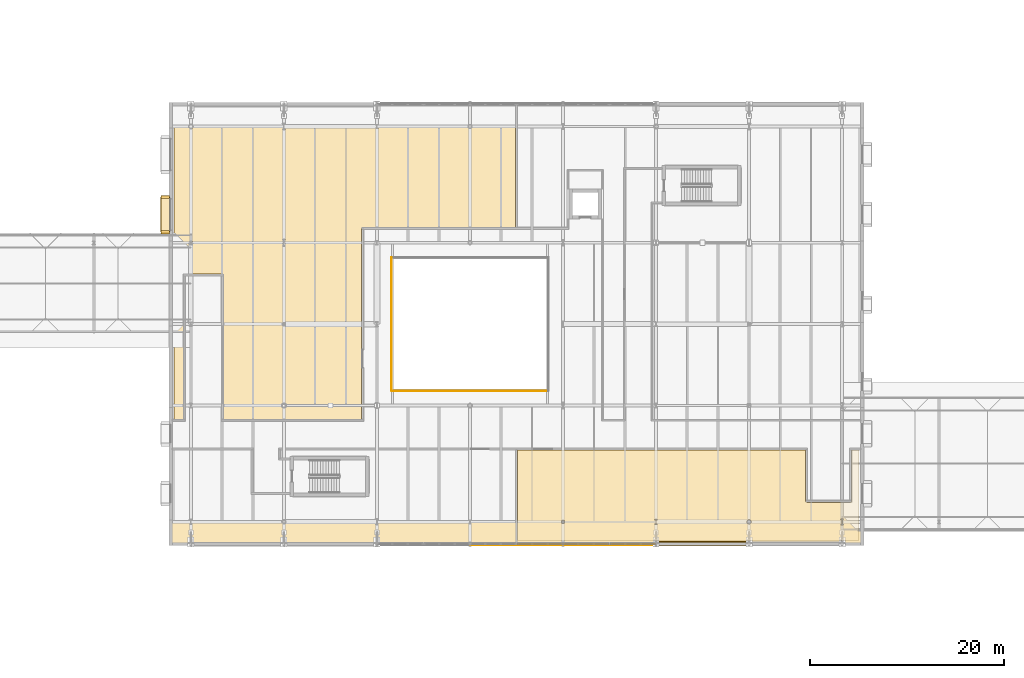
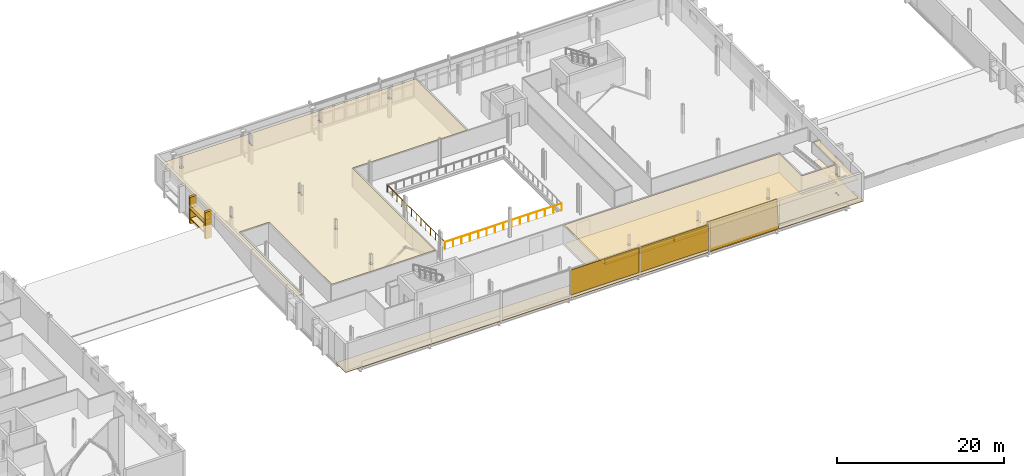
# One storey, part 78 of 90: 12 coverings, 3 shading devices, 2 railings.
"""IFC4 building model written with IfcOpenShell, lengths in metres."""

from ifc_helpers import new_model, si_unit, direction, frame, origin, origin_2d, place, context, subcontext, project, spatial, polyline, rectangle, circle, outline, extrude, material, layer, layer_set, type_object, element, save


model = new_model("IFC4")

# Units and contexts
model_context = context("Model", 3, precision=1e-05, world=origin(), true_north=direction((0.0, 1.0)))
body_context = subcontext(model_context, "Body", "Model", "MODEL_VIEW")
ifc_project = project(units=[si_unit("LENGTHUNIT", "METRE"), si_unit("AREAUNIT", "SQUARE_METRE"), si_unit("VOLUMEUNIT", "CUBIC_METRE"), si_unit("PLANEANGLEUNIT", "RADIAN"), si_unit("MASSUNIT", "GRAM", prefix="KILO")], contexts=[model_context])

# Site, building, storey
site_placement = place(None, origin())
site = spatial("IfcSite", under=ifc_project, at=site_placement, CompositionType="ELEMENT")
building_placement = place(site_placement, origin())
building = spatial("IfcBuilding", under=site, at=building_placement, Name="Zereglee Splitstone Museum", CompositionType="ELEMENT")
storey_placement = place(building_placement, frame((0.0, 0.0, 4.800048828125)))
storey = spatial("IfcBuildingStorey", under=building, at=storey_placement, Name="L01", CompositionType="ELEMENT", Elevation=4.800048828125)

# Coverings
ifc_material_1 = material(Name="Siberian larch acoustic timber ceiling", Category="wood")
ifc_layer_1 = layer(ifc_material_1, 0.06005859375)
ifc_layer_set_1 = layer_set([ifc_layer_1], Name="Siberian larch acoustic timber ceiling")
covering_type_1 = type_object("IfcCoveringType", Name="CLG-01", PredefinedType="CEILING", material=ifc_layer_set_1)
covering_1_placement = place(storey_placement, frame((0.0, 0.0, 2.699951171875)))
element("IfcCovering", 1, at=covering_1_placement, inside=storey, type_object=covering_type_1, Name="Acoustic Ceiling L01-025", PredefinedType="CEILING", context=body_context, shape_type="SweptSolid", body=[
    extrude(outline(polyline([(111.699951171875, 17.02001953125), (141.419921875, 17.02001953125), (141.419921875, 11.800048828125), (141.419921875, 11.799072265625), (141.4208984375, 11.783203125), (141.4208984375, 11.781494140625), (141.42333984375, 11.765869140625), (141.423583984375, 11.763916015625), (141.427490234375, 11.748779296875), (141.427978515625, 11.746826171875), (141.433349609375, 11.73193359375), (141.43408203125, 11.730224609375), (141.44091796875, 11.716064453125), (141.441650390625, 11.71435546875), (141.44970703125, 11.70068359375), (141.450927734375, 11.69921875), (141.460205078125, 11.6865234375), (141.46142578125, 11.68505859375), (141.471923828125, 11.67333984375), (141.473388671875, 11.672119140625), (141.485107421875, 11.66162109375), (141.486572265625, 11.660400390625), (141.499267578125, 11.65087890625), (141.500732421875, 11.64990234375), (141.514404296875, 11.6416015625), (141.51611328125, 11.640869140625), (141.5302734375, 11.634033203125), (141.531982421875, 11.63330078125), (141.546875, 11.628173828125), (141.548583984375, 11.62744140625), (141.56396484375, 11.623779296875), (141.56591796875, 11.623291015625), (141.581298828125, 11.62109375), (141.583251953125, 11.620849609375), (141.59912109375, 11.6201171875), (141.60009765625, 11.6201171875), (146.0, 11.6201171875), (146.0009765625, 11.6201171875), (146.0166015625, 11.620849609375), (146.0185546875, 11.62109375), (146.0341796875, 11.623291015625), (146.0361328125, 11.623779296875), (146.05126953125, 11.62744140625), (146.05322265625, 11.628173828125), (146.068115234375, 11.63330078125), (146.06982421875, 11.634033203125), (146.083984375, 11.640869140625), (146.085693359375, 11.6416015625), (146.09912109375, 11.64990234375), (146.100830078125, 11.65087890625), (146.11328125, 11.660400390625), (146.114990234375, 11.66162109375), (146.126708984375, 11.672119140625), (146.1279296875, 11.67333984375), (146.138427734375, 11.68505859375), (146.1396484375, 11.6865234375), (146.149169921875, 11.69921875), (146.150146484375, 11.70068359375), (146.158203125, 11.71435546875), (146.1591796875, 11.716064453125), (146.166015625, 11.730224609375), (146.166748046875, 11.73193359375), (146.171875, 11.746826171875), (146.172607421875, 11.748779296875), (146.17626953125, 11.763916015625), (146.1767578125, 11.765869140625), (146.178955078125, 11.781494140625), (146.17919921875, 11.783203125), (146.179931640625, 11.799072265625), (146.179931640625, 11.800048828125), (146.179931640625, 17.02001953125), (146.93994140625, 17.02001953125), (146.93994140625, 7.659912109375), (111.699951171875, 7.659912109375), (111.699951171875, 17.02001953125)]), holes=[polyline([(145.35791015625, 9.907958984375), (145.0419921875, 9.907958984375), (145.0419921875, 9.862060546875), (145.18408203125, 9.862060546875), (145.18408203125, 9.337890625), (145.0419921875, 9.337890625), (145.0419921875, 9.2919921875), (145.35791015625, 9.2919921875), (145.35791015625, 9.337890625), (145.2158203125, 9.337890625), (145.2158203125, 9.862060546875), (145.35791015625, 9.862060546875), (145.35791015625, 9.907958984375)]), polyline([(135.64111328125, 9.392822265625), (135.680908203125, 9.40478515625), (135.71728515625, 9.42431640625), (135.749267578125, 9.45068359375), (135.775634765625, 9.482666015625), (135.795166015625, 9.519287109375), (135.80712890625, 9.558837890625), (135.811279296875, 9.60009765625), (135.80712890625, 9.64111328125), (135.795166015625, 9.680908203125), (135.775634765625, 9.71728515625), (135.749267578125, 9.749267578125), (135.71728515625, 9.775634765625), (135.680908203125, 9.795166015625), (135.64111328125, 9.80712890625), (135.60009765625, 9.811279296875), (135.558837890625, 9.80712890625), (135.519287109375, 9.795166015625), (135.482666015625, 9.775634765625), (135.45068359375, 9.749267578125), (135.42431640625, 9.71728515625), (135.40478515625, 9.680908203125), (135.392822265625, 9.64111328125), (135.388916015625, 9.60009765625), (135.392822265625, 9.558837890625), (135.40478515625, 9.519287109375), (135.42431640625, 9.482666015625), (135.45068359375, 9.45068359375), (135.482666015625, 9.42431640625), (135.519287109375, 9.40478515625), (135.558837890625, 9.392822265625), (135.60009765625, 9.388916015625), (135.64111328125, 9.392822265625)]), polyline([(126.157958984375, 9.81396484375), (126.157958984375, 9.85791015625), (125.842041015625, 9.85791015625), (125.842041015625, 9.81396484375), (125.98486328125, 9.81396484375), (125.98486328125, 9.385986328125), (125.842041015625, 9.385986328125), (125.842041015625, 9.342041015625), (126.157958984375, 9.342041015625), (126.157958984375, 9.385986328125), (126.01513671875, 9.385986328125), (126.01513671875, 9.81396484375), (126.157958984375, 9.81396484375)]), polyline([(116.241943359375, 9.758056640625), (116.241943359375, 9.44189453125), (116.55810546875, 9.44189453125), (116.55810546875, 9.758056640625), (116.241943359375, 9.758056640625)])]), origin(), (0.0, 0.0, 1.0), 0.06005859375),
])
covering_2_placement = place(storey_placement, frame((0.0, 0.0, 2.699951171875)))
element("IfcCovering", 2, at=covering_2_placement, inside=storey, type_object=covering_type_1, Name="Acoustic Ceiling L01-026", PredefinedType="CEILING", context=body_context, shape_type="SweptSolid", body=[
    extrude(outline(polyline([(81.3798828125, 35.0), (81.3798828125, 35.0009765625), (81.379150390625, 35.0166015625), (81.37890625, 35.0185546875), (81.376708984375, 35.0341796875), (81.376220703125, 35.0361328125), (81.37255859375, 35.05126953125), (81.371826171875, 35.05322265625), (81.36669921875, 35.068115234375), (81.365966796875, 35.06982421875), (81.359130859375, 35.083984375), (81.3583984375, 35.085693359375), (81.35009765625, 35.09912109375), (81.34912109375, 35.100830078125), (81.339599609375, 35.11328125), (81.33837890625, 35.114990234375), (81.327880859375, 35.126708984375), (81.32666015625, 35.1279296875), (81.31494140625, 35.138427734375), (81.3134765625, 35.1396484375), (81.30078125, 35.149169921875), (81.29931640625, 35.150146484375), (81.28564453125, 35.158203125), (81.283935546875, 35.1591796875), (81.269775390625, 35.166015625), (81.26806640625, 35.166748046875), (81.253173828125, 35.171875), (81.251220703125, 35.172607421875), (81.236083984375, 35.17626953125), (81.234130859375, 35.1767578125), (81.218505859375, 35.178955078125), (81.216796875, 35.17919921875), (81.200927734375, 35.179931640625), (81.199951171875, 35.179931640625), (77.39990234375, 35.179931640625), (77.39892578125, 35.179931640625), (77.38330078125, 35.17919921875), (77.38134765625, 35.178955078125), (77.365966796875, 35.1767578125), (77.364013671875, 35.17626953125), (77.3486328125, 35.172607421875), (77.3466796875, 35.171875), (77.33203125, 35.166748046875), (77.330078125, 35.166015625), (77.31591796875, 35.1591796875), (77.314208984375, 35.158203125), (77.30078125, 35.150146484375), (77.29931640625, 35.149169921875), (77.28662109375, 35.1396484375), (77.28515625, 35.138427734375), (77.2734375, 35.1279296875), (77.27197265625, 35.126708984375), (77.261474609375, 35.114990234375), (77.26025390625, 35.11328125), (77.2509765625, 35.100830078125), (77.249755859375, 35.09912109375), (77.24169921875, 35.085693359375), (77.24072265625, 35.083984375), (77.234130859375, 35.06982421875), (77.2333984375, 35.068115234375), (77.22802734375, 35.05322265625), (77.2275390625, 35.05126953125), (77.2236328125, 35.0361328125), (77.223388671875, 35.0341796875), (77.220947265625, 35.0185546875), (77.220703125, 35.0166015625), (77.219970703125, 35.0009765625), (77.219970703125, 35.0), (77.219970703125, 20.179931640625), (76.260009765625, 20.179931640625), (76.260009765625, 52.340087890625), (111.5, 52.340087890625), (111.5, 39.97998046875), (95.800048828125, 39.97998046875), (95.799072265625, 39.97998046875), (95.783203125, 39.979248046875), (95.781494140625, 39.97900390625), (95.765869140625, 39.976806640625), (95.763916015625, 39.976318359375), (95.748779296875, 39.972412109375), (95.746826171875, 39.971923828125), (95.73193359375, 39.966796875), (95.730224609375, 39.9658203125), (95.716064453125, 39.959228515625), (95.71435546875, 39.958251953125), (95.70068359375, 39.9501953125), (95.69921875, 39.94921875), (95.6865234375, 39.939697265625), (95.68505859375, 39.9384765625), (95.67333984375, 39.927978515625), (95.672119140625, 39.926513671875), (95.66162109375, 39.914794921875), (95.660400390625, 39.913330078125), (95.65087890625, 39.90087890625), (95.64990234375, 39.899169921875), (95.6416015625, 39.8857421875), (95.640869140625, 39.884033203125), (95.634033203125, 39.869873046875), (95.63330078125, 39.867919921875), (95.628173828125, 39.853271484375), (95.62744140625, 39.851318359375), (95.623779296875, 39.836181640625), (95.623291015625, 39.833984375), (95.62109375, 39.818603515625), (95.620849609375, 39.816650390625), (95.6201171875, 39.801025390625), (95.6201171875, 39.800048828125), (95.6201171875, 20.199951171875), (95.6201171875, 20.198974609375), (95.620849609375, 20.183349609375), (95.62109375, 20.181396484375), (95.62109375, 20.179931640625), (81.3798828125, 20.179931640625), (81.3798828125, 35.0)]), holes=[polyline([(87.4169921875, 21.782958984375), (87.4169921875, 21.4169921875), (87.782958984375, 21.4169921875), (87.782958984375, 21.782958984375), (87.4169921875, 21.782958984375)]), polyline([(87.44189453125, 30.157958984375), (87.44189453125, 29.842041015625), (87.758056640625, 29.842041015625), (87.758056640625, 30.157958984375), (87.44189453125, 30.157958984375)]), polyline([(78.157958984375, 38.587890625), (77.842041015625, 38.587890625), (77.842041015625, 38.549560546875), (77.985595703125, 38.549560546875), (77.985595703125, 38.25048828125), (77.842041015625, 38.25048828125), (77.842041015625, 38.2119140625), (78.157958984375, 38.2119140625), (78.157958984375, 38.25048828125), (78.014404296875, 38.25048828125), (78.014404296875, 38.549560546875), (78.157958984375, 38.549560546875), (78.157958984375, 38.587890625)]), polyline([(87.758056640625, 38.758056640625), (87.44189453125, 38.758056640625), (87.44189453125, 38.7099609375), (87.58349609375, 38.7099609375), (87.58349609375, 38.090087890625), (87.44189453125, 38.090087890625), (87.44189453125, 38.0419921875), (87.758056640625, 38.0419921875), (87.758056640625, 38.090087890625), (87.616455078125, 38.090087890625), (87.616455078125, 38.7099609375), (87.758056640625, 38.7099609375), (87.758056640625, 38.758056640625)]), polyline([(78.046142578125, 50.16796875), (78.090576171875, 50.181396484375), (78.13134765625, 50.203369140625), (78.167236328125, 50.23291015625), (78.196533203125, 50.2685546875), (78.218505859375, 50.3095703125), (78.23193359375, 50.35400390625), (78.236572265625, 50.39990234375), (78.23193359375, 50.446044921875), (78.218505859375, 50.490478515625), (78.196533203125, 50.531494140625), (78.167236328125, 50.567138671875), (78.13134765625, 50.5966796875), (78.090576171875, 50.618408203125), (78.046142578125, 50.632080078125), (78.0, 50.636474609375), (77.953857421875, 50.632080078125), (77.909423828125, 50.618408203125), (77.86865234375, 50.5966796875), (77.832763671875, 50.567138671875), (77.803466796875, 50.531494140625), (77.781494140625, 50.490478515625), (77.76806640625, 50.446044921875), (77.763427734375, 50.39990234375), (77.76806640625, 50.35400390625), (77.781494140625, 50.3095703125), (77.803466796875, 50.2685546875), (77.832763671875, 50.23291015625), (77.86865234375, 50.203369140625), (77.909423828125, 50.181396484375), (77.953857421875, 50.16796875), (78.0, 50.16357421875), (78.046142578125, 50.16796875)]), polyline([(87.758056640625, 50.73291015625), (87.44189453125, 50.73291015625), (87.44189453125, 50.68603515625), (87.583984375, 50.68603515625), (87.583984375, 50.114013671875), (87.44189453125, 50.114013671875), (87.44189453125, 50.06689453125), (87.758056640625, 50.06689453125), (87.758056640625, 50.114013671875), (87.615966796875, 50.114013671875), (87.615966796875, 50.68603515625), (87.758056640625, 50.68603515625), (87.758056640625, 50.73291015625)]), polyline([(97.35791015625, 50.60791015625), (97.0419921875, 50.60791015625), (97.0419921875, 50.568115234375), (97.185302734375, 50.568115234375), (97.185302734375, 50.23193359375), (97.0419921875, 50.23193359375), (97.0419921875, 50.19189453125), (97.35791015625, 50.19189453125), (97.35791015625, 50.23193359375), (97.21484375, 50.23193359375), (97.21484375, 50.568115234375), (97.35791015625, 50.568115234375), (97.35791015625, 50.60791015625)]), polyline([(106.98291015625, 50.5830078125), (106.616943359375, 50.5830078125), (106.616943359375, 50.217041015625), (106.98291015625, 50.217041015625), (106.98291015625, 50.5830078125)])]), origin(), (0.0, 0.0, 1.0), 0.06005859375),
])
ifc_material_2 = material(Name="Honed Gobi pale limestone stringcourse and soffit cladding", Category="masonry")
ifc_layer_2 = layer(ifc_material_2, 0.070068359375)
ifc_layer_set_2 = layer_set([ifc_layer_2], Name="Honed Gobi pale limestone stringcourse and soffit cladding")
covering_type_2 = type_object("IfcCoveringType", Name="CL-02", PredefinedType="CLADDING", material=ifc_layer_set_2)
for number, where, z_axis, x_axis, name in (
    (3, (75.375, 43.1298828125, 0.0), (0.0, 0.0, 1.0), (0.0, -1.0, 0.0), "Mughal Window Reveal Stone Pilaster L01-0033L"),
    (4, (75.375, 39.489990234375, 0.0), (0.0, 0.0, 1.0), (0.0, -1.0, 0.0), "Mughal Window Reveal Stone Pilaster L01-0033R"),
):
    element("IfcCovering", number, at=place(storey_placement, frame(where, z_axis=z_axis, x_axis=x_axis)), inside=storey, type_object=covering_type_2, Name=name, PredefinedType="CLADDING", context=body_context, shape_type="SweptSolid", body=[
        extrude(rectangle(XDim=0.340087890625, YDim=0.860107421875, at=origin_2d()), origin(), (0.0, 0.0, 1.0), 3.89990234375),
    ])
covering_3_placement = place(storey_placement, frame((75.364990234375, 41.31005859375, 0.760009765625), z_axis=(0.0, 0.0, 1.0), x_axis=(0.0, -1.0, 0.0)))
element("IfcCovering", 5, at=covering_3_placement, inside=storey, type_object=covering_type_2, Name="Carved Limestone Window Sill L01-0033", PredefinedType="CLADDING", context=body_context, shape_type="SweptSolid", body=[
    extrude(rectangle(XDim=3.840087890625, YDim=0.840087890625, at=origin_2d()), origin(), (0.0, 0.0, 1.0), 0.1201171875),
])
for number, where, z_axis, x_axis, name in (
    (6, (114.02001953125, 7.320068359375, 2.844970703125), (0.0, 0.0, 1.0), (1.0, 0.0, 0.0), "Mughal Carved Clerestory Jaali Frieze RC4-CW-L01-100-2"),
    (7, (118.780029296875, 7.320068359375, 2.804931640625), (0.0, 0.0, 1.0), (1.0, 0.0, 0.0), "Mughal Carved Clerestory Jaali Frieze RC4-CW-L01-101-1"),
    (8, (123.6201171875, 7.320068359375, 2.784912109375), (0.0, 0.0, 1.0), (1.0, 0.0, 0.0), "Mughal Carved Clerestory Jaali Frieze RC4-CW-L01-101-2"),
):
    element("IfcCovering", number, at=place(storey_placement, frame(where, z_axis=z_axis, x_axis=x_axis)), inside=storey, type_object=covering_type_2, Name=name, PredefinedType="CLADDING", context=body_context, shape_type="SweptSolid", body=[
        extrude(rectangle(XDim=4.679931640625, YDim=0.239990234375, at=origin_2d()), origin(), (0.0, 0.0, 1.0), 0.75),
    ])
covering_4_placement = place(storey_placement, frame((0.0, 0.0, -0.35009765625)))
element("IfcCovering", 9, at=covering_4_placement, inside=storey, type_object=covering_type_2, Name="Hovering Stone Plinth Soffit Apron 005", PredefinedType="CLADDING", context=body_context, shape_type="SweptSolid", body=[
    extrude(outline(polyline([(75.800048828125, 7.199951171875), (147.39990234375, 7.199951171875), (147.39990234375, 9.550048828125), (75.800048828125, 9.550048828125), (75.800048828125, 7.199951171875)])), origin(), (0.0, 0.0, 1.0), 0.070068359375),
])
covering_5_placement = place(storey_placement, frame((126.0, 7.114990234375, -0.150146484375), z_axis=(0.0, -0.995859600442, 0.090904654488), x_axis=(1.0, 0.0, 0.0)))
element("IfcCovering", 10, at=covering_5_placement, inside=storey, type_object=covering_type_2, Name="Split-Rock Continuous Inclined Facet FH-V2SE L01.1", PredefinedType="CLADDING", context=body_context, shape_type="SweptSolid", body=[
    extrude(outline(polyline([(0.0, 0.0), (9.60009765625, 0.0), (9.60009765625, 4.117144278601649), (0.0, 4.117144278601649), (0.0, 0.0)])), origin(), (0.0, 0.0, -1.0), 0.070068359375),
])
ifc_material_3 = material(Name="Honed Khoroo red sandstone ventilated rainscreen", Category="masonry")
ifc_layer_3 = layer(ifc_material_3, 0.080078125)
ifc_layer_set_3 = layer_set([ifc_layer_3], Name="Honed Khoroo red sandstone ventilated rainscreen")
covering_type_3 = type_object("IfcCoveringType", Name="CL-01", PredefinedType="CLADDING", material=ifc_layer_set_3)
covering_6_placement = place(storey_placement, frame((75.364990234375, 41.31005859375, 2.159912109375), z_axis=(0.0, 0.0, 1.0), x_axis=(0.0, -1.0, 0.0)))
element("IfcCovering", 11, at=covering_6_placement, inside=storey, type_object=covering_type_3, Name="Pointed-Arch Mughal Window Hood L01-0033", PredefinedType="CLADDING", context=body_context, shape_type="SweptSolid", body=[
    extrude(rectangle(XDim=3.840087890625, YDim=0.860107421875, at=origin_2d()), origin(), (0.0, 0.0, 1.0), 0.580078125),
])
ifc_material_4 = material(Name="Honed Gobi granite terrazzo flooring", Category="masonry")
ifc_layer_4 = layer(ifc_material_4, 0.030029296875)
ifc_layer_set_4 = layer_set([ifc_layer_4], Name="Honed Gobi granite terrazzo flooring")
covering_type_4 = type_object("IfcCoveringType", Name="FLR-01", PredefinedType="FLOORING", material=ifc_layer_set_4)
covering_7_placement = place(storey_placement, origin())
element("IfcCovering", 12, at=covering_7_placement, inside=storey, type_object=covering_type_4, Name="Terrazzo Gallery Flooring L01-015", PredefinedType="FLOORING", context=body_context, shape_type="SweptSolid", body=[
    extrude(outline(polyline([(111.699951171875, 17.02001953125), (141.419921875, 17.02001953125), (141.419921875, 11.800048828125), (141.419921875, 11.799072265625), (141.4208984375, 11.783203125), (141.4208984375, 11.781494140625), (141.42333984375, 11.765869140625), (141.423583984375, 11.763916015625), (141.427490234375, 11.748779296875), (141.427978515625, 11.746826171875), (141.433349609375, 11.73193359375), (141.43408203125, 11.730224609375), (141.44091796875, 11.716064453125), (141.441650390625, 11.71435546875), (141.44970703125, 11.70068359375), (141.450927734375, 11.69921875), (141.460205078125, 11.6865234375), (141.46142578125, 11.68505859375), (141.471923828125, 11.67333984375), (141.473388671875, 11.672119140625), (141.485107421875, 11.66162109375), (141.486572265625, 11.660400390625), (141.499267578125, 11.65087890625), (141.500732421875, 11.64990234375), (141.514404296875, 11.6416015625), (141.51611328125, 11.640869140625), (141.5302734375, 11.634033203125), (141.531982421875, 11.63330078125), (141.546875, 11.628173828125), (141.548583984375, 11.62744140625), (141.56396484375, 11.623779296875), (141.56591796875, 11.623291015625), (141.581298828125, 11.62109375), (141.583251953125, 11.620849609375), (141.59912109375, 11.6201171875), (141.60009765625, 11.6201171875), (146.0, 11.6201171875), (146.0009765625, 11.6201171875), (146.0166015625, 11.620849609375), (146.0185546875, 11.62109375), (146.0341796875, 11.623291015625), (146.0361328125, 11.623779296875), (146.05126953125, 11.62744140625), (146.05322265625, 11.628173828125), (146.068115234375, 11.63330078125), (146.06982421875, 11.634033203125), (146.083984375, 11.640869140625), (146.085693359375, 11.6416015625), (146.09912109375, 11.64990234375), (146.100830078125, 11.65087890625), (146.11328125, 11.660400390625), (146.114990234375, 11.66162109375), (146.126708984375, 11.672119140625), (146.1279296875, 11.67333984375), (146.138427734375, 11.68505859375), (146.1396484375, 11.6865234375), (146.149169921875, 11.69921875), (146.150146484375, 11.70068359375), (146.158203125, 11.71435546875), (146.1591796875, 11.716064453125), (146.166015625, 11.730224609375), (146.166748046875, 11.73193359375), (146.171875, 11.746826171875), (146.172607421875, 11.748779296875), (146.17626953125, 11.763916015625), (146.1767578125, 11.765869140625), (146.178955078125, 11.781494140625), (146.17919921875, 11.783203125), (146.179931640625, 11.799072265625), (146.179931640625, 11.800048828125), (146.179931640625, 17.02001953125), (146.93994140625, 17.02001953125), (146.93994140625, 7.659912109375), (111.699951171875, 7.659912109375), (111.699951171875, 17.02001953125)]), holes=[polyline([(145.35791015625, 9.907958984375), (145.0419921875, 9.907958984375), (145.0419921875, 9.862060546875), (145.18408203125, 9.862060546875), (145.18408203125, 9.337890625), (145.0419921875, 9.337890625), (145.0419921875, 9.2919921875), (145.35791015625, 9.2919921875), (145.35791015625, 9.337890625), (145.2158203125, 9.337890625), (145.2158203125, 9.862060546875), (145.35791015625, 9.862060546875), (145.35791015625, 9.907958984375)]), polyline([(135.64111328125, 9.392822265625), (135.680908203125, 9.40478515625), (135.71728515625, 9.42431640625), (135.749267578125, 9.45068359375), (135.775634765625, 9.482666015625), (135.795166015625, 9.519287109375), (135.80712890625, 9.558837890625), (135.811279296875, 9.60009765625), (135.80712890625, 9.64111328125), (135.795166015625, 9.680908203125), (135.775634765625, 9.71728515625), (135.749267578125, 9.749267578125), (135.71728515625, 9.775634765625), (135.680908203125, 9.795166015625), (135.64111328125, 9.80712890625), (135.60009765625, 9.811279296875), (135.558837890625, 9.80712890625), (135.519287109375, 9.795166015625), (135.482666015625, 9.775634765625), (135.45068359375, 9.749267578125), (135.42431640625, 9.71728515625), (135.40478515625, 9.680908203125), (135.392822265625, 9.64111328125), (135.388916015625, 9.60009765625), (135.392822265625, 9.558837890625), (135.40478515625, 9.519287109375), (135.42431640625, 9.482666015625), (135.45068359375, 9.45068359375), (135.482666015625, 9.42431640625), (135.519287109375, 9.40478515625), (135.558837890625, 9.392822265625), (135.60009765625, 9.388916015625), (135.64111328125, 9.392822265625)]), polyline([(126.157958984375, 9.81396484375), (126.157958984375, 9.85791015625), (125.842041015625, 9.85791015625), (125.842041015625, 9.81396484375), (125.98486328125, 9.81396484375), (125.98486328125, 9.385986328125), (125.842041015625, 9.385986328125), (125.842041015625, 9.342041015625), (126.157958984375, 9.342041015625), (126.157958984375, 9.385986328125), (126.01513671875, 9.385986328125), (126.01513671875, 9.81396484375), (126.157958984375, 9.81396484375)]), polyline([(116.241943359375, 9.758056640625), (116.241943359375, 9.44189453125), (116.55810546875, 9.44189453125), (116.55810546875, 9.758056640625), (116.241943359375, 9.758056640625)])]), origin(), (0.0, 0.0, 1.0), 0.030029296875),
])

# Railings
ifc_material_5 = material(Name="Glazed laminated glass and bronze balustrade", Category="glass")
railing_type = type_object("IfcRailingType", Name="GR-02", PredefinedType="BALUSTRADE", material=ifc_material_5)
railing_1_placement = place(storey_placement, frame((98.719970703125, 23.1201171875, 0.0)))
element("IfcRailing", 13, at=railing_1_placement, inside=storey, type_object=railing_type, Name="Atrium Glazed Balustrade L01 Side 1", PredefinedType="BALUSTRADE", context=body_context, shape_type="SweptSolid", body=[
    extrude(circle(Radius=0.02392578125, at=origin_2d()), frame((0.0, 0.0, 1.076416015625), z_axis=(1.0, 0.0, 0.0), x_axis=(0.0, 1.0, 0.0)), (0.0, 0.0, 1.0), 16.159912109375),
    extrude(circle(Radius=0.02099609375, at=origin_2d()), origin(), (0.0, 0.0, 1.0), 1.052001953125),
    extrude(circle(Radius=0.02099609375, at=origin_2d()), frame((1.154296875, 0.0, 0.0)), (0.0, 0.0, 1.0), 1.052001953125),
    extrude(circle(Radius=0.02099609375, at=origin_2d()), frame((2.30859375, 0.0, 0.0)), (0.0, 0.0, 1.0), 1.052001953125),
    extrude(circle(Radius=0.02099609375, at=origin_2d()), frame((3.462890625, 0.0, 0.0)), (0.0, 0.0, 1.0), 1.052001953125),
    extrude(circle(Radius=0.02099609375, at=origin_2d()), frame((4.6171875, 0.0, 0.0)), (0.0, 0.0, 1.0), 1.052001953125),
    extrude(circle(Radius=0.02099609375, at=origin_2d()), frame((5.771484375, 0.0, 0.0)), (0.0, 0.0, 1.0), 1.052001953125),
    extrude(circle(Radius=0.02099609375, at=origin_2d()), frame((6.92578125, 0.0, 0.0)), (0.0, 0.0, 1.0), 1.052001953125),
    extrude(circle(Radius=0.02099609375, at=origin_2d()), frame((8.080078125, 0.0, 0.0)), (0.0, 0.0, 1.0), 1.052001953125),
    extrude(circle(Radius=0.02099609375, at=origin_2d()), frame((9.234130859375, 0.0, 0.0)), (0.0, 0.0, 1.0), 1.052001953125),
    extrude(circle(Radius=0.02099609375, at=origin_2d()), frame((10.388427734375, 0.0, 0.0)), (0.0, 0.0, 1.0), 1.052001953125),
    extrude(circle(Radius=0.02099609375, at=origin_2d()), frame((11.542724609375, 0.0, 0.0)), (0.0, 0.0, 1.0), 1.052001953125),
    extrude(circle(Radius=0.02099609375, at=origin_2d()), frame((12.697021484375, 0.0, 0.0)), (0.0, 0.0, 1.0), 1.052001953125),
    extrude(circle(Radius=0.02099609375, at=origin_2d()), frame((13.851318359375, 0.0, 0.0)), (0.0, 0.0, 1.0), 1.052001953125),
    extrude(circle(Radius=0.02099609375, at=origin_2d()), frame((15.005615234375, 0.0, 0.0)), (0.0, 0.0, 1.0), 1.052001953125),
    extrude(circle(Radius=0.02099609375, at=origin_2d()), frame((16.159912109375, 0.0, 0.0)), (0.0, 0.0, 1.0), 1.052001953125),
])
railing_2_placement = place(storey_placement, frame((98.719970703125, 36.8798828125, 0.0)))
element("IfcRailing", 14, at=railing_2_placement, inside=storey, type_object=railing_type, Name="Atrium Glazed Balustrade L01 Side 4", PredefinedType="BALUSTRADE", context=body_context, shape_type="SweptSolid", body=[
    extrude(circle(Radius=0.02392578125, at=origin_2d()), frame((0.0, 0.0, 1.076416015625), z_axis=(0.0, -1.0, 0.0), x_axis=(1.0, 0.0, 0.0)), (0.0, 0.0, 1.0), 13.759765625),
    extrude(circle(Radius=0.02099609375, at=origin_2d()), origin(), (0.0, 0.0, 1.0), 1.052001953125),
    extrude(circle(Radius=0.02099609375, at=origin_2d()), frame((0.0, -1.146728515625, 0.0)), (0.0, 0.0, 1.0), 1.052001953125),
    extrude(circle(Radius=0.02099609375, at=origin_2d()), frame((0.0, -2.293212890625, 0.0)), (0.0, 0.0, 1.0), 1.052001953125),
    extrude(circle(Radius=0.02099609375, at=origin_2d()), frame((0.0, -3.43994140625, 0.0)), (0.0, 0.0, 1.0), 1.052001953125),
    extrude(circle(Radius=0.02099609375, at=origin_2d()), frame((0.0, -4.586669921875, 0.0)), (0.0, 0.0, 1.0), 1.052001953125),
    extrude(circle(Radius=0.02099609375, at=origin_2d()), frame((0.0, -5.733154296875, 0.0)), (0.0, 0.0, 1.0), 1.052001953125),
    extrude(circle(Radius=0.02099609375, at=origin_2d()), frame((0.0, -6.8798828125, 0.0)), (0.0, 0.0, 1.0), 1.052001953125),
    extrude(circle(Radius=0.02099609375, at=origin_2d()), frame((0.0, -8.026611328125, 0.0)), (0.0, 0.0, 1.0), 1.052001953125),
    extrude(circle(Radius=0.02099609375, at=origin_2d()), frame((0.0, -9.173095703125, 0.0)), (0.0, 0.0, 1.0), 1.052001953125),
    extrude(circle(Radius=0.02099609375, at=origin_2d()), frame((0.0, -10.31982421875, 0.0)), (0.0, 0.0, 1.0), 1.052001953125),
    extrude(circle(Radius=0.02099609375, at=origin_2d()), frame((0.0, -11.466552734375, 0.0)), (0.0, 0.0, 1.0), 1.052001953125),
    extrude(circle(Radius=0.02099609375, at=origin_2d()), frame((0.0, -12.613037109375, 0.0)), (0.0, 0.0, 1.0), 1.052001953125),
    extrude(circle(Radius=0.02099609375, at=origin_2d()), frame((0.0, -13.759765625, 0.0)), (0.0, 0.0, 1.0), 1.052001953125),
])

# Shading devices
ifc_material_6 = material(Name="Patinated architectural bronze CuSn8 geometric jali screen")
ifc_layer_5 = layer(ifc_material_6, 0.06005859375)
ifc_layer_set_5 = layer_set([ifc_layer_5], Name="Patinated architectural bronze CuSn8 geometric jali screen")
shading_device_type_1 = type_object("IfcShadingDeviceType", Name="JL-01", PredefinedType="USERDEFINED", material=ifc_layer_set_5)
for number, where, z_axis, x_axis, name in (
    (15, (106.85009765625, 7.239990234375, 0.119873046875), (0.0, -1.0, 0.0), (1.0, 0.0, 0.0), "Bronze Mughal Jali Screen 17"),
    (16, (116.449951171875, 7.239990234375, 0.119873046875), (0.0, -1.0, 0.0), (1.0, 0.0, 0.0), "Bronze Mughal Jali Screen 18"),
):
    element("IfcShadingDevice", number, at=place(storey_placement, frame(where, z_axis=z_axis, x_axis=x_axis)), inside=storey, type_object=shading_device_type_1, Name=name, ObjectType="SCREEN", PredefinedType="USERDEFINED", context=body_context, shape_type="SweptSolid", body=[
        extrude(outline(polyline([(0.0, 0.0), (9.5, 0.0), (9.5, 3.66015625), (0.0, 3.66015625), (0.0, 0.0)])), origin(), (0.0, 0.0, 1.0), 0.06005859375),
    ])
ifc_material_7 = material(Name="Anodised bronze extruded aluminium chhajja brise-soleil", Category="aluminium")
ifc_layer_6 = layer(ifc_material_7, 0.080078125)
ifc_layer_set_6 = layer_set([ifc_layer_6], Name="Anodised bronze extruded aluminium chhajja brise-soleil")
shading_device_type_2 = type_object("IfcShadingDeviceType", Name="SH-01", PredefinedType="SHUTTER", material=ifc_layer_set_6)
shading_device_placement = place(storey_placement, frame((75.364990234375, 41.31005859375, 2.239990234375), z_axis=(0.0, 0.0, 1.0), x_axis=(0.0, -1.0, 0.0)))
element("IfcShadingDevice", 17, at=shading_device_placement, inside=storey, type_object=shading_device_type_2, Name="Chhajja Window Brise-Soleil 20", PredefinedType="SHUTTER", context=body_context, shape_type="SweptSolid", body=[
    extrude(rectangle(XDim=3.60009765625, YDim=0.97998046875, at=origin_2d()), origin(), (0.0, 0.0, 1.0), 0.080078125),
])

save(model, "model.ifc")
